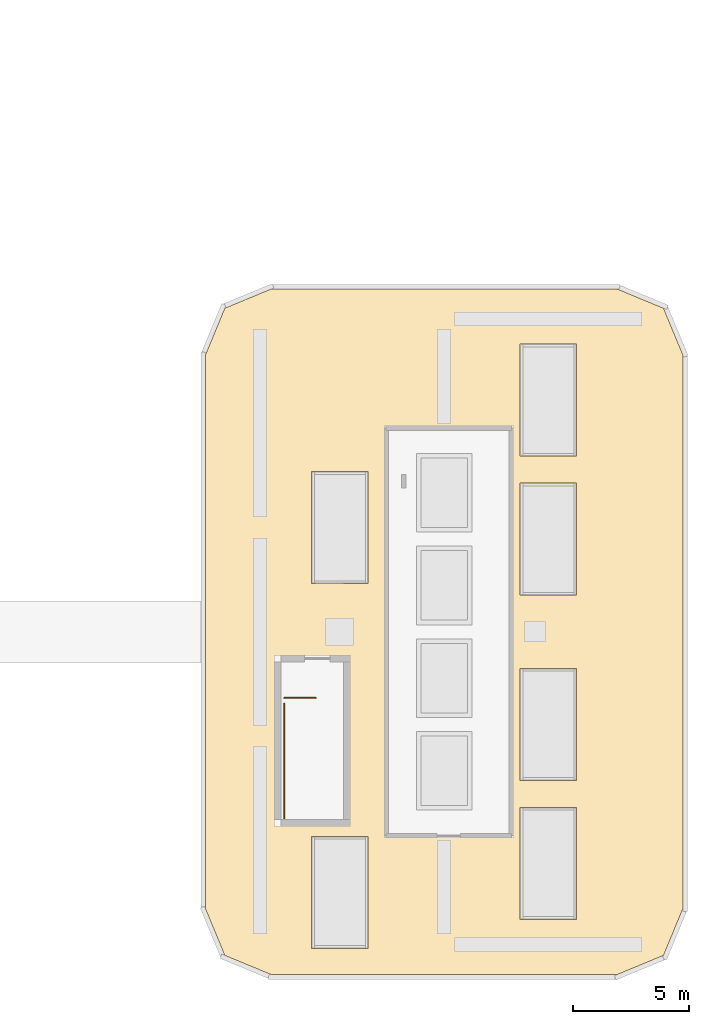
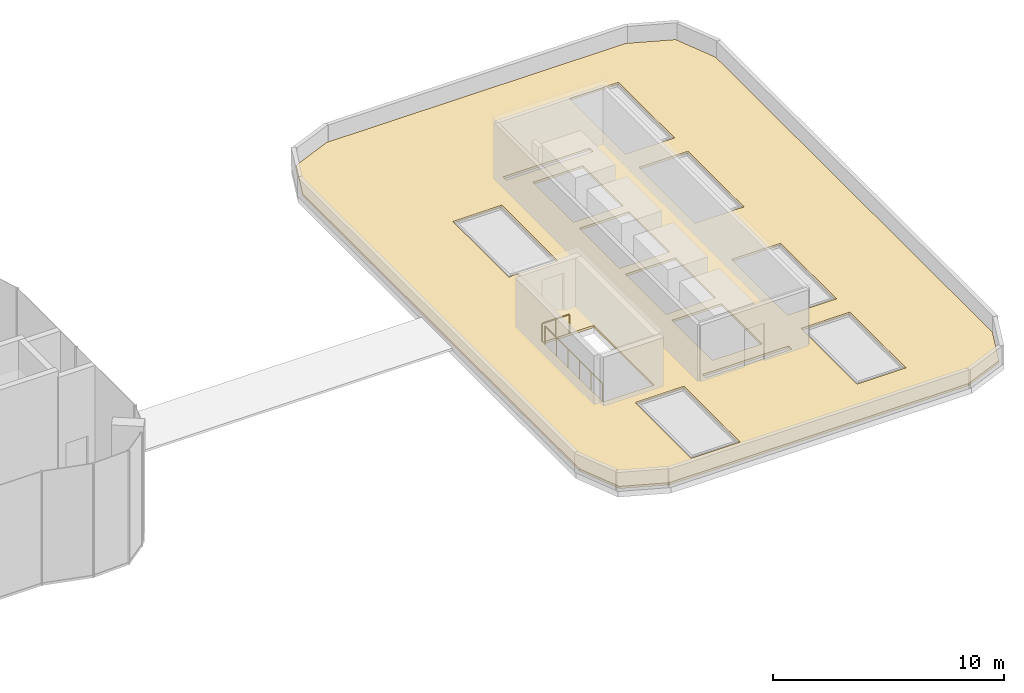
# One storey, part 18 of 19: 2 railings, 1 covering.
"""IFC4 building model written with IfcOpenShell, lengths in metres."""

from ifc_helpers import new_model, si_unit, direction, frame, origin, origin_2d, place, context, subcontext, project, spatial, polyline, circle, outline, extrude, material, layer, layer_set, type_object, element, save


model = new_model("IFC4")

# Units and contexts
model_context = context("Model", 3, precision=1e-05, world=origin(), true_north=direction((0.0, 1.0)))
body_context = subcontext(model_context, "Body", "Model", "MODEL_VIEW")
ifc_project = project(units=[si_unit("LENGTHUNIT", "METRE"), si_unit("AREAUNIT", "SQUARE_METRE"), si_unit("VOLUMEUNIT", "CUBIC_METRE"), si_unit("PLANEANGLEUNIT", "RADIAN"), si_unit("MASSUNIT", "GRAM", prefix="KILO")], contexts=[model_context])

# Site, building, storey
site_placement = place(None, origin())
site = spatial("IfcSite", under=ifc_project, at=site_placement, CompositionType="ELEMENT")
building_placement = place(site_placement, origin())
building = spatial("IfcBuilding", under=site, at=building_placement, Name="Plateau Cross Towers", CompositionType="ELEMENT")
storey_placement = place(building_placement, frame((0.0, 0.0, 128.60009765625)))
storey = spatial("IfcBuildingStorey", under=building, at=storey_placement, Name="L33", CompositionType="ELEMENT", Elevation=128.60009765625)

# Railings
ifc_material_1 = material(Name="Stainless steel and toughened glass", Category="steel")
railing_type = type_object("IfcRailingType", Name="RL-GUARD-1100", PredefinedType="GUARDRAIL", material=ifc_material_1)
railing_1_placement = place(storey_placement, frame((75.60009765625, 6.14990234375, 0.0)))
element("IfcRailing", 1, at=railing_1_placement, inside=storey, type_object=railing_type, Name="L33 SB-1 top well guard 1", PredefinedType="GUARDRAIL", context=body_context, shape_type="SweptSolid", body=[
    extrude(circle(Radius=0.02392578125, at=origin_2d()), frame((0.0, 0.0, 1.076171875), z_axis=(1.0, 0.0, 0.0), x_axis=(0.0, 1.0, 0.0)), (0.0, 0.0, 1.0), 1.349853515625),
    extrude(circle(Radius=0.02099609375, at=origin_2d()), origin(), (0.0, 0.0, 1.0), 1.052001953125),
    extrude(circle(Radius=0.02099609375, at=origin_2d()), frame((0.6748046875, 0.0, 0.0)), (0.0, 0.0, 1.0), 1.052001953125),
    extrude(circle(Radius=0.02099609375, at=origin_2d()), frame((1.349853515625, 0.0, 0.0)), (0.0, 0.0, 1.0), 1.052001953125),
])
railing_2_placement = place(storey_placement, frame((75.60009765625, 0.949951171875, 0.0)))
element("IfcRailing", 2, at=railing_2_placement, inside=storey, type_object=railing_type, Name="L33 SB-1 well edge guard", PredefinedType="GUARDRAIL", context=body_context, shape_type="SweptSolid", body=[
    extrude(circle(Radius=0.02392578125, at=origin_2d()), frame((0.0, 0.0, 1.076171875), z_axis=(0.0, 1.0, 0.0), x_axis=(-1.0, 0.0, 0.0)), (0.0, 0.0, 1.0), 4.949951171875),
    extrude(circle(Radius=0.02099609375, at=origin_2d()), origin(), (0.0, 0.0, 1.0), 1.052001953125),
    extrude(circle(Radius=0.02099609375, at=origin_2d()), frame((0.0, 0.989990234375, 0.0)), (0.0, 0.0, 1.0), 1.052001953125),
    extrude(circle(Radius=0.02099609375, at=origin_2d()), frame((0.0, 1.97998046875, 0.0)), (0.0, 0.0, 1.0), 1.052001953125),
    extrude(circle(Radius=0.02099609375, at=origin_2d()), frame((0.0, 2.969970703125, 0.0)), (0.0, 0.0, 1.0), 1.052001953125),
    extrude(circle(Radius=0.02099609375, at=origin_2d()), frame((0.0, 3.9599609375, 0.0)), (0.0, 0.0, 1.0), 1.052001953125),
    extrude(circle(Radius=0.02099609375, at=origin_2d()), frame((0.0, 4.949951171875, 0.0)), (0.0, 0.0, 1.0), 1.052001953125),
])

# Covering
ifc_material_2 = material(Name="Bituminous roofing membrane")
ifc_layer = layer(ifc_material_2, 0.1201171875)
ifc_layer_set = layer_set([ifc_layer], Name="Bituminous roofing membrane")
covering_type = type_object("IfcCoveringType", Name="Roof membrane build-up 120", PredefinedType="ROOFING", material=ifc_layer_set)
covering_placement = place(storey_placement, origin())
element("IfcCovering", 3, at=covering_placement, inside=storey, type_object=covering_type, Name="Roof covering 1", PredefinedType="ROOFING", context=body_context, shape_type="SweptSolid", body=[
    extrude(outline(polyline([(72.199951171875, 20.960205078125), (73.03173828125, 22.96826171875), (75.039794921875, 23.800048828125), (89.960205078125, 23.800048828125), (91.96826171875, 22.96826171875), (92.800048828125, 20.960205078125), (92.800048828125, -2.960205078125), (91.96826171875, -4.96826171875), (89.960205078125, -5.800048828125), (75.039794921875, -5.800048828125), (73.03173828125, -4.96826171875), (72.199951171875, -2.960205078125), (72.199951171875, 20.960205078125)]), holes=[polyline([(85.780029296875, 1.419921875), (85.780029296875, -3.419921875), (88.219970703125, -3.419921875), (88.219970703125, 1.419921875), (85.780029296875, 1.419921875)]), polyline([(85.780029296875, 15.419921875), (85.780029296875, 10.580078125), (88.219970703125, 10.580078125), (88.219970703125, 15.419921875), (85.780029296875, 15.419921875)]), polyline([(88.219970703125, 2.580078125), (88.219970703125, 7.419921875), (85.780029296875, 7.419921875), (85.780029296875, 2.580078125), (88.219970703125, 2.580078125)]), polyline([(88.219970703125, 16.580078125), (88.219970703125, 21.419921875), (85.780029296875, 21.419921875), (85.780029296875, 16.580078125), (88.219970703125, 16.580078125)]), polyline([(80.340087890625, 0.5400390625), (80.340087890625, 0.260009765625), (84.659912109375, 0.260009765625), (84.659912109375, 0.5400390625), (80.340087890625, 0.5400390625)]), polyline([(84.659912109375, 17.4599609375), (84.659912109375, 17.739990234375), (80.340087890625, 17.739990234375), (80.340087890625, 17.4599609375), (84.659912109375, 17.4599609375)]), polyline([(81.260009765625, 1.260009765625), (83.739990234375, 1.260009765625), (83.739990234375, 4.739990234375), (81.260009765625, 4.739990234375), (81.260009765625, 1.260009765625)]), polyline([(81.260009765625, 13.260009765625), (83.739990234375, 13.260009765625), (83.739990234375, 16.739990234375), (81.260009765625, 16.739990234375), (81.260009765625, 13.260009765625)]), polyline([(83.739990234375, 5.260009765625), (83.739990234375, 8.739990234375), (81.260009765625, 8.739990234375), (81.260009765625, 5.260009765625), (83.739990234375, 5.260009765625)]), polyline([(83.739990234375, 9.260009765625), (83.739990234375, 12.739990234375), (81.260009765625, 12.739990234375), (81.260009765625, 9.260009765625), (83.739990234375, 9.260009765625)]), polyline([(79.219970703125, -4.669921875), (79.219970703125, 0.169921875), (76.780029296875, 0.169921875), (76.780029296875, -4.669921875), (79.219970703125, -4.669921875)]), polyline([(76.780029296875, 11.080078125), (76.780029296875, 15.919921875), (79.219970703125, 15.919921875), (79.219970703125, 11.080078125), (78.14990234375, 11.080078125), (78.14990234375, 11.10009765625), (76.949951171875, 11.10009765625), (76.949951171875, 11.080078125), (76.780029296875, 11.080078125)]), polyline([(78.14990234375, 0.89990234375), (75.60009765625, 0.89990234375), (75.60009765625, 6.10009765625), (76.949951171875, 6.10009765625), (76.949951171875, 6.090087890625), (78.14990234375, 6.090087890625), (78.14990234375, 0.89990234375)])]), origin(), (0.0, 0.0, 1.0), 0.119873046875),
])

save(model, "model.ifc")
